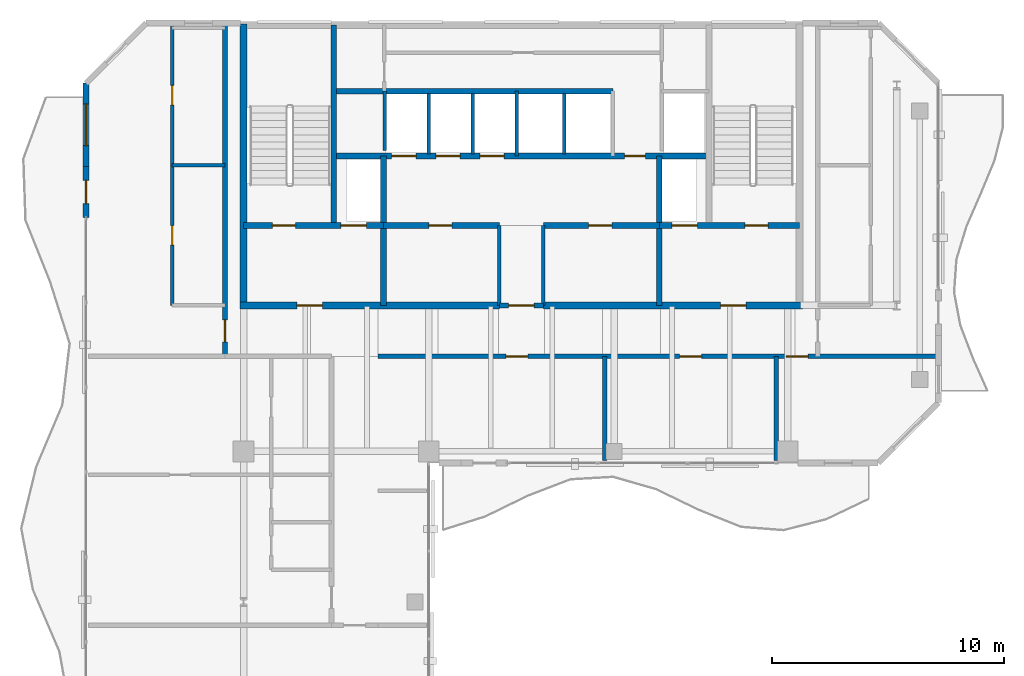
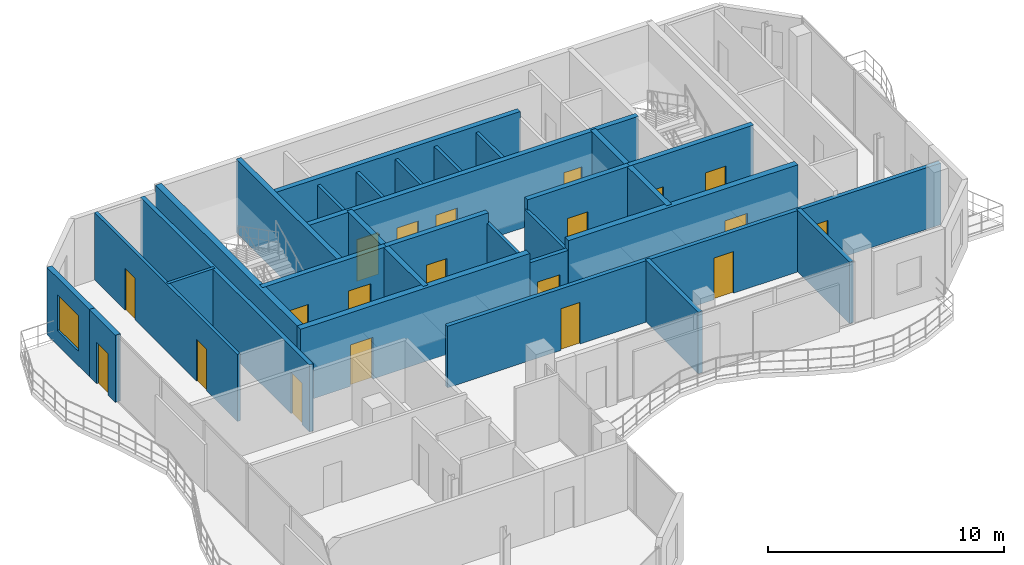
# One storey, part 12 of 16: 28 walls, 20 doors, 1 window, 21 openings.
"""IFC4 building model written with IfcOpenShell, lengths in metres."""

from ifc_helpers import new_model, si_unit, direction, frame, frame_2d, origin, place, context, subcontext, project, spatial, rectangle, extrude, material, layer, layer_set, type_object, element, fill, save


model = new_model("IFC4")

# Units and contexts
model_context = context("Model", 3, precision=1e-05, world=origin(), true_north=direction((0.0, 1.0)))
body_context = subcontext(model_context, "Body", "Model", "MODEL_VIEW")
ifc_project = project(units=[si_unit("LENGTHUNIT", "METRE"), si_unit("AREAUNIT", "SQUARE_METRE"), si_unit("VOLUMEUNIT", "CUBIC_METRE"), si_unit("PLANEANGLEUNIT", "RADIAN"), si_unit("MASSUNIT", "GRAM", prefix="KILO")], contexts=[model_context])

# Site, building, storey
site_placement = place(None, origin())
site = spatial("IfcSite", under=ifc_project, at=site_placement, CompositionType="ELEMENT")
building_placement = place(site_placement, origin())
building = spatial("IfcBuilding", under=site, at=building_placement, Name="Catumbela Crestline Tower", CompositionType="ELEMENT")
storey_placement = place(building_placement, frame((0.0, 0.0, 286.8)))
storey = spatial("IfcBuildingStorey", under=building, at=storey_placement, Name="L74", CompositionType="ELEMENT", Elevation=286.8)

# Walls
ifc_material_1 = material(Name="Concrete C50/60", Category="concrete")
ifc_layer_1 = layer(ifc_material_1, 0.25, Name="Concrete C50/60")
ifc_layer_set_1 = layer_set([ifc_layer_1], Name="Concrete C50/60")
wall_type_1 = type_object("IfcWallType", Name="CW-250D", PredefinedType="SHEAR", material=ifc_layer_set_1)
wall_1_placement = place(storey_placement, frame((19.9, 34.25, 0.0), z_axis=(0.0, 0.0, 1.0), x_axis=(0.0, 1.0, 0.0)))
element("IfcWall", 1, at=wall_1_placement, inside=storey, type_object=wall_type_1, Name="L74 Structural Core Shear Wall WWEB", PredefinedType="SHEAR", context=body_context, shape_type="SweptSolid", body=[
    extrude(rectangle(XDim=8.65, YDim=0.25, at=frame_2d((4.325, 0.0))), origin(), (0.0, 0.0, 1.0), 3.8),
])
for number, where, z_axis, x_axis, name in (
    (2, (22.05, 30.8, 0.0), (0.0, 0.0, 1.0), (0.0, 1.0, 0.0), "L74 Structural Core Shear Wall FFW"),
    (3, (33.95, 30.8, 0.0), (0.0, 0.0, 1.0), (0.0, 1.0, 0.0), "L74 Structural Core Shear Wall FFE"),
):
    element("IfcWall", number, at=place(storey_placement, frame(where, z_axis=z_axis, x_axis=x_axis)), inside=storey, type_object=wall_type_1, Name=name, PredefinedType="SHEAR", context=body_context, shape_type="SweptSolid", body=[
        extrude(rectangle(XDim=6.45, YDim=0.25, at=frame_2d((3.225, 0.0))), origin(), (0.0, 0.0, 1.0), 3.8),
    ])

# Wall, openings, doors
wall_2_placement = place(storey_placement, frame((16.0, 34.25, 0.0), z_axis=(0.0, 0.0, 1.0), x_axis=(1.0, 0.0, 0.0)))
wall_2 = element("IfcWall", 4, at=wall_2_placement, inside=storey, type_object=wall_type_1, Name="L74 Structural Core Shear Wall ST1S", PredefinedType="SHEAR", context=body_context, shape_type="SweptSolid", body=[
    extrude(rectangle(XDim=6.05, YDim=0.25, at=frame_2d((3.025, 0.0))), origin(), (0.0, 0.0, 1.0), 3.8),
])
opening_1_placement = place(wall_2_placement, frame((1.25, 0.0, 0.0)))
opening_1 = element("IfcOpeningElement", 5, at=opening_1_placement, cuts=wall_2, Name="Opening DF9-100", PredefinedType="OPENING", context=body_context, shape_type="SweptSolid", body=[
    extrude(rectangle(XDim=1.0, YDim=2.15, at=frame_2d((0.5, 1.075))), frame((0.0, 0.135, 0.0), z_axis=(0.0, -1.0, 0.0), x_axis=(1.0, 0.0, 0.0)), (0.0, 0.0, 1.0), 0.27),
])
opening_2_placement = place(wall_2_placement, frame((4.2, 0.0, 0.0)))
opening_2 = element("IfcOpeningElement", 6, at=opening_2_placement, cuts=wall_2, Name="Opening LD-110", PredefinedType="OPENING", context=body_context, shape_type="SweptSolid", body=[
    extrude(rectangle(XDim=1.1, YDim=2.15, at=frame_2d((0.55, 1.075))), frame((0.0, 0.135, 0.0), z_axis=(0.0, -1.0, 0.0), x_axis=(1.0, 0.0, 0.0)), (0.0, 0.0, 1.0), 0.27),
])
ifc_material_2 = material(Name="Stainless steel EN 1.4401", Category="steel")
door_type_1 = type_object("IfcDoorType", Name="DF9-100", OperationType="NOTDEFINED", PredefinedType="DOOR", material=ifc_material_2)
door_1_placement = place(opening_1_placement, origin())
door_1 = element("IfcDoor", 7, at=door_1_placement, inside=storey, type_object=door_type_1, Name="L74 Interior Door DR-L74-ST01", OperationType="SINGLE_SWING_LEFT", OverallHeight=2.15, OverallWidth=1.0, PredefinedType="DOOR", context=body_context, shape_type="SweptSolid", body=[
    extrude(rectangle(XDim=1.0, YDim=2.15, at=frame_2d((0.5, 1.075))), frame((0.0, 0.025, 0.0), z_axis=(0.0, -1.0, 0.0), x_axis=(1.0, 0.0, 0.0)), (0.0, 0.0, 1.0), 0.05),
])
fill(opening_1, door_1)
door_type_2 = type_object("IfcDoorType", Name="LD-110", OperationType="NOTDEFINED", PredefinedType="DOOR", material=ifc_material_2)
door_2_placement = place(opening_2_placement, origin())
door_2 = element("IfcDoor", 8, at=door_2_placement, inside=storey, type_object=door_type_2, Name="L74 Lift Landing Sliding Door FL-01", OperationType="DOUBLE_DOOR_SLIDING", OverallHeight=2.15, OverallWidth=1.1, PredefinedType="DOOR", context=body_context, shape_type="SweptSolid", body=[
    extrude(rectangle(XDim=1.1, YDim=2.15, at=frame_2d((0.55, 1.075))), frame((0.0, 0.025, 0.0), z_axis=(0.0, -1.0, 0.0), x_axis=(1.0, 0.0, 0.0)), (0.0, 0.0, 1.0), 0.05),
])
fill(opening_2, door_2)

wall_3_placement = place(storey_placement, frame((33.95, 34.25, 0.0), z_axis=(0.0, 0.0, 1.0), x_axis=(1.0, 0.0, 0.0)))
wall_3 = element("IfcWall", 9, at=wall_3_placement, inside=storey, type_object=wall_type_1, Name="L74 Structural Core Shear Wall ST2S", PredefinedType="SHEAR", context=body_context, shape_type="SweptSolid", body=[
    extrude(rectangle(XDim=6.05, YDim=0.25, at=frame_2d((3.025, 0.0))), origin(), (0.0, 0.0, 1.0), 3.8),
])
opening_3_placement = place(wall_3_placement, frame((3.7, 0.0, 0.0)))
opening_3 = element("IfcOpeningElement", 10, at=opening_3_placement, cuts=wall_3, Name="Opening DF9-100", PredefinedType="OPENING", context=body_context, shape_type="SweptSolid", body=[
    extrude(rectangle(XDim=1.0, YDim=2.15, at=frame_2d((0.5, 1.075))), frame((0.0, 0.135, 0.0), z_axis=(0.0, -1.0, 0.0), x_axis=(1.0, 0.0, 0.0)), (0.0, 0.0, 1.0), 0.27),
])
opening_4_placement = place(wall_3_placement, frame((0.55, 0.0, 0.0)))
opening_4 = element("IfcOpeningElement", 11, at=opening_4_placement, cuts=wall_3, Name="Opening LD-110", PredefinedType="OPENING", context=body_context, shape_type="SweptSolid", body=[
    extrude(rectangle(XDim=1.1, YDim=2.15, at=frame_2d((0.55, 1.075))), frame((0.0, 0.135, 0.0), z_axis=(0.0, -1.0, 0.0), x_axis=(1.0, 0.0, 0.0)), (0.0, 0.0, 1.0), 0.27),
])
door_3_placement = place(opening_3_placement, origin())
door_3 = element("IfcDoor", 12, at=door_3_placement, inside=storey, type_object=door_type_1, Name="L74 Interior Door DR-L74-ST02", OperationType="SINGLE_SWING_RIGHT", OverallHeight=2.15, OverallWidth=1.0, PredefinedType="DOOR", context=body_context, shape_type="SweptSolid", body=[
    extrude(rectangle(XDim=1.0, YDim=2.15, at=frame_2d((0.5, 1.075))), frame((0.0, 0.025, 0.0), z_axis=(0.0, -1.0, 0.0), x_axis=(1.0, 0.0, 0.0)), (0.0, 0.0, 1.0), 0.05),
])
fill(opening_3, door_3)
door_4_placement = place(opening_4_placement, origin())
door_4 = element("IfcDoor", 13, at=door_4_placement, inside=storey, type_object=door_type_2, Name="L74 Lift Landing Sliding Door FL-02", OperationType="DOUBLE_DOOR_SLIDING", OverallHeight=2.15, OverallWidth=1.1, PredefinedType="DOOR", context=body_context, shape_type="SweptSolid", body=[
    extrude(rectangle(XDim=1.1, YDim=2.15, at=frame_2d((0.55, 1.075))), frame((0.0, 0.025, 0.0), z_axis=(0.0, -1.0, 0.0), x_axis=(1.0, 0.0, 0.0)), (0.0, 0.0, 1.0), 0.05),
])
fill(opening_4, door_4)

# Wall, opening, door
wall_4_placement = place(storey_placement, frame((22.05, 34.25, 0.0), z_axis=(0.0, 0.0, 1.0), x_axis=(1.0, 0.0, 0.0)))
wall_4 = element("IfcWall", 14, at=wall_4_placement, inside=storey, type_object=wall_type_1, Name="L74 Structural Core Shear Wall LIFTS-W", PredefinedType="SHEAR", context=body_context, shape_type="SweptSolid", body=[
    extrude(rectangle(XDim=5.0, YDim=0.25, at=frame_2d((2.5, 0.0))), origin(), (0.0, 0.0, 1.0), 3.8),
])
opening_5_placement = place(wall_4_placement, frame((1.95, 0.0, 0.0)))
opening_5 = element("IfcOpeningElement", 15, at=opening_5_placement, cuts=wall_4, Name="Opening DF9-100", PredefinedType="OPENING", context=body_context, shape_type="SweptSolid", body=[
    extrude(rectangle(XDim=1.0, YDim=2.15, at=frame_2d((0.5, 1.075))), frame((0.0, 0.135, 0.0), z_axis=(0.0, -1.0, 0.0), x_axis=(1.0, 0.0, 0.0)), (0.0, 0.0, 1.0), 0.27),
])
door_5_placement = place(opening_5_placement, origin())
door_5 = element("IfcDoor", 16, at=door_5_placement, inside=storey, type_object=door_type_1, Name="L74 Interior Door DR-L74-RECL1", OperationType="SINGLE_SWING_LEFT", OverallHeight=2.15, OverallWidth=1.0, PredefinedType="DOOR", context=body_context, shape_type="SweptSolid", body=[
    extrude(rectangle(XDim=1.0, YDim=2.15, at=frame_2d((0.5, 1.075))), frame((0.0, 0.025, 0.0), z_axis=(0.0, -1.0, 0.0), x_axis=(1.0, 0.0, 0.0)), (0.0, 0.0, 1.0), 0.05),
])
fill(opening_5, door_5)

wall_5_placement = place(storey_placement, frame((28.95, 34.25, 0.0), z_axis=(0.0, 0.0, 1.0), x_axis=(1.0, 0.0, 0.0)))
wall_5 = element("IfcWall", 17, at=wall_5_placement, inside=storey, type_object=wall_type_1, Name="L74 Structural Core Shear Wall LIFTS-E", PredefinedType="SHEAR", context=body_context, shape_type="SweptSolid", body=[
    extrude(rectangle(XDim=5.0, YDim=0.25, at=frame_2d((2.5, 0.0))), origin(), (0.0, 0.0, 1.0), 3.8),
])
opening_6_placement = place(wall_5_placement, frame((1.95, 0.0, 0.0)))
opening_6 = element("IfcOpeningElement", 18, at=opening_6_placement, cuts=wall_5, Name="Opening DF9-100", PredefinedType="OPENING", context=body_context, shape_type="SweptSolid", body=[
    extrude(rectangle(XDim=1.0, YDim=2.15, at=frame_2d((0.5, 1.075))), frame((0.0, 0.135, 0.0), z_axis=(0.0, -1.0, 0.0), x_axis=(1.0, 0.0, 0.0)), (0.0, 0.0, 1.0), 0.27),
])
door_6_placement = place(opening_6_placement, origin())
door_6 = element("IfcDoor", 19, at=door_6_placement, inside=storey, type_object=door_type_1, Name="L74 Interior Door DR-L74-RECL2", OperationType="SINGLE_SWING_RIGHT", OverallHeight=2.15, OverallWidth=1.0, PredefinedType="DOOR", context=body_context, shape_type="SweptSolid", body=[
    extrude(rectangle(XDim=1.0, YDim=2.15, at=frame_2d((0.5, 1.075))), frame((0.0, 0.025, 0.0), z_axis=(0.0, -1.0, 0.0), x_axis=(1.0, 0.0, 0.0)), (0.0, 0.0, 1.0), 0.05),
])
fill(opening_6, door_6)

# Wall, openings, doors
wall_6_placement = place(storey_placement, frame((19.9, 37.25, 0.0), z_axis=(0.0, 0.0, 1.0), x_axis=(1.0, 0.0, 0.0)))
wall_6 = element("IfcWall", 20, at=wall_6_placement, inside=storey, type_object=wall_type_1, Name="L74 Structural Core Shear Wall LIFTN", PredefinedType="SHEAR", context=body_context, shape_type="SweptSolid", body=[
    extrude(rectangle(XDim=16.2, YDim=0.25, at=frame_2d((8.1, 0.0))), origin(), (0.0, 0.0, 1.0), 3.8),
])
opening_7_placement = place(wall_6_placement, frame((12.55, 0.0, 0.0)))
opening_7 = element("IfcOpeningElement", 21, at=opening_7_placement, cuts=wall_6, Name="Opening DF9-090", PredefinedType="OPENING", context=body_context, shape_type="SweptSolid", body=[
    extrude(rectangle(XDim=0.9, YDim=2.15, at=frame_2d((0.45, 1.075))), frame((0.0, 0.135, 0.0), z_axis=(0.0, -1.0, 0.0), x_axis=(1.0, 0.0, 0.0)), (0.0, 0.0, 1.0), 0.27),
])
opening_8_placement = place(wall_6_placement, frame((2.5, 0.0, 0.0)))
opening_8 = element("IfcOpeningElement", 22, at=opening_8_placement, cuts=wall_6, Name="Opening LD-105", PredefinedType="OPENING", context=body_context, shape_type="SweptSolid", body=[
    extrude(rectangle(XDim=1.05, YDim=2.15, at=frame_2d((0.525, 1.075))), frame((0.0, 0.135, 0.0), z_axis=(0.0, -1.0, 0.0), x_axis=(1.0, 0.0, 0.0)), (0.0, 0.0, 1.0), 0.27),
])
opening_9_placement = place(wall_6_placement, frame((4.4, 0.0, 0.0)))
opening_9 = element("IfcOpeningElement", 23, at=opening_9_placement, cuts=wall_6, Name="Opening LD-105", PredefinedType="OPENING", context=body_context, shape_type="SweptSolid", body=[
    extrude(rectangle(XDim=1.05, YDim=2.15, at=frame_2d((0.525, 1.075))), frame((0.0, 0.135, 0.0), z_axis=(0.0, -1.0, 0.0), x_axis=(1.0, 0.0, 0.0)), (0.0, 0.0, 1.0), 0.27),
])
opening_10_placement = place(wall_6_placement, frame((6.3, 0.0, 0.0)))
opening_10 = element("IfcOpeningElement", 24, at=opening_10_placement, cuts=wall_6, Name="Opening LD-105", PredefinedType="OPENING", context=body_context, shape_type="SweptSolid", body=[
    extrude(rectangle(XDim=1.05, YDim=2.15, at=frame_2d((0.525, 1.075))), frame((0.0, 0.135, 0.0), z_axis=(0.0, -1.0, 0.0), x_axis=(1.0, 0.0, 0.0)), (0.0, 0.0, 1.0), 0.27),
])
door_type_3 = type_object("IfcDoorType", Name="DF9-090", OperationType="NOTDEFINED", PredefinedType="DOOR", material=ifc_material_2)
door_7_placement = place(opening_7_placement, origin())
door_7 = element("IfcDoor", 25, at=door_7_placement, inside=storey, type_object=door_type_3, Name="L74 Interior Door DR-L74-CPAS1", OperationType="SINGLE_SWING_LEFT", OverallHeight=2.15, OverallWidth=0.9, PredefinedType="DOOR", context=body_context, shape_type="SweptSolid", body=[
    extrude(rectangle(XDim=0.9, YDim=2.15, at=frame_2d((0.45, 1.075))), frame((0.0, 0.025, 0.0), z_axis=(0.0, -1.0, 0.0), x_axis=(1.0, 0.0, 0.0)), (0.0, 0.0, 1.0), 0.05),
])
fill(opening_7, door_7)
door_type_4 = type_object("IfcDoorType", Name="LD-105", OperationType="NOTDEFINED", PredefinedType="DOOR", material=ifc_material_2)
door_8_placement = place(opening_8_placement, origin())
door_8 = element("IfcDoor", 26, at=door_8_placement, inside=storey, type_object=door_type_4, Name="L74 Lift Landing Sliding Door PL-H1", OperationType="DOUBLE_DOOR_SLIDING", OverallHeight=2.15, OverallWidth=1.05, PredefinedType="DOOR", context=body_context, shape_type="SweptSolid", body=[
    extrude(rectangle(XDim=1.05, YDim=2.15, at=frame_2d((0.525, 1.075))), frame((0.0, 0.025, 0.0), z_axis=(0.0, -1.0, 0.0), x_axis=(1.0, 0.0, 0.0)), (0.0, 0.0, 1.0), 0.05),
])
fill(opening_8, door_8)
door_9_placement = place(opening_9_placement, origin())
door_9 = element("IfcDoor", 27, at=door_9_placement, inside=storey, type_object=door_type_4, Name="L74 Lift Landing Sliding Door PL-H2", OperationType="DOUBLE_DOOR_SLIDING", OverallHeight=2.15, OverallWidth=1.05, PredefinedType="DOOR", context=body_context, shape_type="SweptSolid", body=[
    extrude(rectangle(XDim=1.05, YDim=2.15, at=frame_2d((0.525, 1.075))), frame((0.0, 0.025, 0.0), z_axis=(0.0, -1.0, 0.0), x_axis=(1.0, 0.0, 0.0)), (0.0, 0.0, 1.0), 0.05),
])
fill(opening_9, door_9)
door_10_placement = place(opening_10_placement, origin())
door_10 = element("IfcDoor", 28, at=door_10_placement, inside=storey, type_object=door_type_4, Name="L74 Lift Landing Sliding Door PL-H3", OperationType="DOUBLE_DOOR_SLIDING", OverallHeight=2.15, OverallWidth=1.05, PredefinedType="DOOR", context=body_context, shape_type="SweptSolid", body=[
    extrude(rectangle(XDim=1.05, YDim=2.15, at=frame_2d((0.525, 1.075))), frame((0.0, 0.025, 0.0), z_axis=(0.0, -1.0, 0.0), x_axis=(1.0, 0.0, 0.0)), (0.0, 0.0, 1.0), 0.05),
])
fill(opening_10, door_10)

# Walls
wall_7_placement = place(storey_placement, frame((19.9, 40.05, 0.0), z_axis=(0.0, 0.0, 1.0), x_axis=(1.0, 0.0, 0.0)))
element("IfcWall", 29, at=wall_7_placement, inside=storey, type_object=wall_type_1, Name="L74 Structural Core Shear Wall COREN", PredefinedType="SHEAR", context=body_context, shape_type="SweptSolid", body=[
    extrude(rectangle(XDim=12.05, YDim=0.25, at=frame_2d((6.025, 0.0))), origin(), (0.0, 0.0, 1.0), 3.8),
])
ifc_material_3 = material(Name="Concrete C45/55", Category="concrete")
ifc_layer_2 = layer(ifc_material_3, 0.3, Name="Concrete C45/55")
ifc_layer_set_2 = layer_set([ifc_layer_2], Name="Concrete C45/55")
wall_type_2 = type_object("IfcWallType", Name="CW-300C", PredefinedType="SHEAR", material=ifc_layer_set_2)
wall_8_placement = place(storey_placement, frame((16.0, 30.65, 0.0), z_axis=(0.0, 0.0, 1.0), x_axis=(0.0, 1.0, 0.0)))
element("IfcWall", 30, at=wall_8_placement, inside=storey, type_object=wall_type_2, Name="L74 Structural Core Shear Wall W", PredefinedType="SHEAR", context=body_context, shape_type="SweptSolid", body=[
    extrude(rectangle(XDim=12.3, YDim=0.3, at=frame_2d((6.15, 0.0))), origin(), (0.0, 0.0, 1.0), 3.8),
])

# Wall, opening, door
wall_9_placement = place(storey_placement, frame((15.85, 30.8, 0.0), z_axis=(0.0, 0.0, 1.0), x_axis=(1.0, 0.0, 0.0)))
wall_9 = element("IfcWall", 31, at=wall_9_placement, inside=storey, type_object=wall_type_2, Name="L74 Structural Core Shear Wall SW", PredefinedType="SHEAR", context=body_context, shape_type="SweptSolid", body=[
    extrude(rectangle(XDim=11.2, YDim=0.3, at=frame_2d((5.6, 0.0))), origin(), (0.0, 0.0, 1.0), 3.8),
])
opening_11_placement = place(wall_9_placement, frame((2.45, 0.0, 0.0)))
opening_11 = element("IfcOpeningElement", 32, at=opening_11_placement, cuts=wall_9, Name="Opening DF9-110", PredefinedType="OPENING", context=body_context, shape_type="SweptSolid", body=[
    extrude(rectangle(XDim=1.1, YDim=2.15, at=frame_2d((0.55, 1.075))), frame((0.0, 0.16, 0.0), z_axis=(0.0, -1.0, 0.0), x_axis=(1.0, 0.0, 0.0)), (0.0, 0.0, 1.0), 0.32),
])
door_type_5 = type_object("IfcDoorType", Name="DF9-110", OperationType="NOTDEFINED", PredefinedType="DOOR", material=ifc_material_2)
door_11_placement = place(opening_11_placement, origin())
door_11 = element("IfcDoor", 33, at=door_11_placement, inside=storey, type_object=door_type_5, Name="L74 Interior Door DR-L74-FFW-S", OperationType="SINGLE_SWING_LEFT", OverallHeight=2.15, OverallWidth=1.1, PredefinedType="DOOR", context=body_context, shape_type="SweptSolid", body=[
    extrude(rectangle(XDim=1.1, YDim=2.15, at=frame_2d((0.55, 1.075))), frame((0.0, 0.025, 0.0), z_axis=(0.0, -1.0, 0.0), x_axis=(1.0, 0.0, 0.0)), (0.0, 0.0, 1.0), 0.05),
])
fill(opening_11, door_11)

wall_10_placement = place(storey_placement, frame((28.95, 30.8, 0.0), z_axis=(0.0, 0.0, 1.0), x_axis=(1.0, 0.0, 0.0)))
wall_10 = element("IfcWall", 34, at=wall_10_placement, inside=storey, type_object=wall_type_2, Name="L74 Structural Core Shear Wall SE", PredefinedType="SHEAR", context=body_context, shape_type="SweptSolid", body=[
    extrude(rectangle(XDim=11.2, YDim=0.3, at=frame_2d((5.6, 0.0))), origin(), (0.0, 0.0, 1.0), 3.8),
])
opening_12_placement = place(wall_10_placement, frame((7.65, 0.0, 0.0)))
opening_12 = element("IfcOpeningElement", 35, at=opening_12_placement, cuts=wall_10, Name="Opening DF9-110", PredefinedType="OPENING", context=body_context, shape_type="SweptSolid", body=[
    extrude(rectangle(XDim=1.1, YDim=2.15, at=frame_2d((0.55, 1.075))), frame((0.0, 0.16, 0.0), z_axis=(0.0, -1.0, 0.0), x_axis=(1.0, 0.0, 0.0)), (0.0, 0.0, 1.0), 0.32),
])
door_12_placement = place(opening_12_placement, origin())
door_12 = element("IfcDoor", 36, at=door_12_placement, inside=storey, type_object=door_type_5, Name="L74 Interior Door DR-L74-FFE-S", OperationType="SINGLE_SWING_RIGHT", OverallHeight=2.15, OverallWidth=1.1, PredefinedType="DOOR", context=body_context, shape_type="SweptSolid", body=[
    extrude(rectangle(XDim=1.1, YDim=2.15, at=frame_2d((0.55, 1.075))), frame((0.0, 0.025, 0.0), z_axis=(0.0, -1.0, 0.0), x_axis=(1.0, 0.0, 0.0)), (0.0, 0.0, 1.0), 0.05),
])
fill(opening_12, door_12)

ifc_material_4 = material(Name="Acoustic gypsum and mineral-wool partition")
ifc_layer_3 = layer(ifc_material_4, 0.2, Name="Acoustic gypsum and mineral-wool partition")
ifc_layer_set_3 = layer_set([ifc_layer_3], Name="Acoustic gypsum and mineral-wool partition")
wall_type_3 = type_object("IfcWallType", Name="WC-200", PredefinedType="PARTITIONING", material=ifc_layer_set_3)
wall_11_placement = place(storey_placement, frame((27.05, 30.8, 0.0), z_axis=(0.0, 0.0, 1.0), x_axis=(1.0, 0.0, 0.0)))
wall_11 = element("IfcWall", 37, at=wall_11_placement, inside=storey, type_object=wall_type_3, Name="L74 Interior Partition PW-L74-CLOBS", PredefinedType="PARTITIONING", context=body_context, shape_type="SweptSolid", body=[
    extrude(rectangle(XDim=1.9, YDim=0.2, at=frame_2d((0.95, 0.0))), origin(), (0.0, 0.0, 1.0), 3.27),
])
opening_13_placement = place(wall_11_placement, frame((0.4, 0.0, 0.0)))
opening_13 = element("IfcOpeningElement", 38, at=opening_13_placement, cuts=wall_11, Name="Opening DF9-110", PredefinedType="OPENING", context=body_context, shape_type="SweptSolid", body=[
    extrude(rectangle(XDim=1.1, YDim=2.15, at=frame_2d((0.55, 1.075))), frame((0.0, 0.11, 0.0), z_axis=(0.0, -1.0, 0.0), x_axis=(1.0, 0.0, 0.0)), (0.0, 0.0, 1.0), 0.22),
])
door_13_placement = place(opening_13_placement, origin())
door_13 = element("IfcDoor", 39, at=door_13_placement, inside=storey, type_object=door_type_5, Name="L74 Interior Door DR-L74-CLOBS", OperationType="SINGLE_SWING_LEFT", OverallHeight=2.15, OverallWidth=1.1, PredefinedType="DOOR", context=body_context, shape_type="SweptSolid", body=[
    extrude(rectangle(XDim=1.1, YDim=2.15, at=frame_2d((0.55, 1.075))), frame((0.0, 0.025, 0.0), z_axis=(0.0, -1.0, 0.0), x_axis=(1.0, 0.0, 0.0)), (0.0, 0.0, 1.0), 0.05),
])
fill(opening_13, door_13)

# Wall, openings, doors
wall_12_placement = place(storey_placement, frame((21.8, 28.6, 0.0), z_axis=(0.0, 0.0, 1.0), x_axis=(1.0, 0.0, 0.0)))
wall_12 = element("IfcWall", 40, at=wall_12_placement, inside=storey, type_object=wall_type_3, Name="L74 Interior Partition PW-L74-RCWR", PredefinedType="PARTITIONING", context=body_context, shape_type="SweptSolid", body=[
    extrude(rectangle(XDim=24.1, YDim=0.2, at=frame_2d((12.05, 0.0))), origin(), (0.0, 0.0, 1.0), 3.18),
])
opening_14_placement = place(wall_12_placement, frame((5.525, 0.0, 0.0)))
opening_14 = element("IfcOpeningElement", 41, at=opening_14_placement, cuts=wall_12, Name="Opening DF6-095", PredefinedType="OPENING", context=body_context, shape_type="SweptSolid", body=[
    extrude(rectangle(XDim=0.95, YDim=2.15, at=frame_2d((0.475, 1.075))), frame((0.0, 0.11, 0.0), z_axis=(0.0, -1.0, 0.0), x_axis=(1.0, 0.0, 0.0)), (0.0, 0.0, 1.0), 0.22),
])
opening_15_placement = place(wall_12_placement, frame((13.025, 0.0, 0.0)))
opening_15 = element("IfcOpeningElement", 42, at=opening_15_placement, cuts=wall_12, Name="Opening DF6-095", PredefinedType="OPENING", context=body_context, shape_type="SweptSolid", body=[
    extrude(rectangle(XDim=0.95, YDim=2.15, at=frame_2d((0.475, 1.075))), frame((0.0, 0.11, 0.0), z_axis=(0.0, -1.0, 0.0), x_axis=(1.0, 0.0, 0.0)), (0.0, 0.0, 1.0), 0.22),
])
opening_16_placement = place(wall_12_placement, frame((17.625, 0.0, 0.0)))
opening_16 = element("IfcOpeningElement", 43, at=opening_16_placement, cuts=wall_12, Name="Opening DF6-095", PredefinedType="OPENING", context=body_context, shape_type="SweptSolid", body=[
    extrude(rectangle(XDim=0.95, YDim=2.15, at=frame_2d((0.475, 1.075))), frame((0.0, 0.11, 0.0), z_axis=(0.0, -1.0, 0.0), x_axis=(1.0, 0.0, 0.0)), (0.0, 0.0, 1.0), 0.22),
])
ifc_material_5 = material(Name="Aluminium alloy AW-6060-T66", Category="aluminium")
door_type_6 = type_object("IfcDoorType", Name="DF6-095", OperationType="NOTDEFINED", PredefinedType="DOOR", material=ifc_material_5)
door_14_placement = place(opening_14_placement, origin())
door_14 = element("IfcDoor", 44, at=door_14_placement, inside=storey, type_object=door_type_6, Name="L74 Interior Door DR-L74-Z4G6S1-ENT", OperationType="SINGLE_SWING_RIGHT", OverallHeight=2.15, OverallWidth=0.95, PredefinedType="DOOR", context=body_context, shape_type="SweptSolid", body=[
    extrude(rectangle(XDim=0.95, YDim=2.15, at=frame_2d((0.475, 1.075))), frame((0.0, 0.025, 0.0), z_axis=(0.0, -1.0, 0.0), x_axis=(1.0, 0.0, 0.0)), (0.0, 0.0, 1.0), 0.05),
])
fill(opening_14, door_14)
door_15_placement = place(opening_15_placement, origin())
door_15 = element("IfcDoor", 45, at=door_15_placement, inside=storey, type_object=door_type_6, Name="L74 Interior Door DR-L74-Z4G6S2-ENT", OperationType="SINGLE_SWING_LEFT", OverallHeight=2.15, OverallWidth=0.95, PredefinedType="DOOR", context=body_context, shape_type="SweptSolid", body=[
    extrude(rectangle(XDim=0.95, YDim=2.15, at=frame_2d((0.475, 1.075))), frame((0.0, 0.025, 0.0), z_axis=(0.0, -1.0, 0.0), x_axis=(1.0, 0.0, 0.0)), (0.0, 0.0, 1.0), 0.05),
])
fill(opening_15, door_15)
door_16_placement = place(opening_16_placement, origin())
door_16 = element("IfcDoor", 46, at=door_16_placement, inside=storey, type_object=door_type_6, Name="L74 Interior Door DR-L74-Z4G6S3-ENT", OperationType="SINGLE_SWING_RIGHT", OverallHeight=2.15, OverallWidth=0.95, PredefinedType="DOOR", context=body_context, shape_type="SweptSolid", body=[
    extrude(rectangle(XDim=0.95, YDim=2.15, at=frame_2d((0.475, 1.075))), frame((0.0, 0.025, 0.0), z_axis=(0.0, -1.0, 0.0), x_axis=(1.0, 0.0, 0.0)), (0.0, 0.0, 1.0), 0.05),
])
fill(opening_16, door_16)

# Wall, opening, door
wall_13_placement = place(storey_placement, frame((15.2, 28.6, 0.0), z_axis=(0.0, 0.0, 1.0), x_axis=(0.0, 1.0, 0.0)))
wall_13 = element("IfcWall", 47, at=wall_13_placement, inside=storey, type_object=wall_type_3, Name="L74 Interior Partition PW-L74-NW1-ENT", PredefinedType="PARTITIONING", context=body_context, shape_type="SweptSolid", body=[
    extrude(rectangle(XDim=14.3, YDim=0.2, at=frame_2d((7.15, 0.0))), origin(), (0.0, 0.0, 1.0), 3.47),
])
opening_17_placement = place(wall_13_placement, frame((0.625, 0.0, 0.0)))
opening_17 = element("IfcOpeningElement", 48, at=opening_17_placement, cuts=wall_13, Name="Opening DF6-095", PredefinedType="OPENING", context=body_context, shape_type="SweptSolid", body=[
    extrude(rectangle(XDim=0.95, YDim=2.15, at=frame_2d((0.475, 1.075))), frame((0.0, 0.11, 0.0), z_axis=(0.0, -1.0, 0.0), x_axis=(1.0, 0.0, 0.0)), (0.0, 0.0, 1.0), 0.22),
])
door_17_placement = place(opening_17_placement, origin())
door_17 = element("IfcDoor", 49, at=door_17_placement, inside=storey, type_object=door_type_6, Name="L74 Interior Door DR-L74-NW1-ENT", OperationType="SINGLE_SWING_LEFT", OverallHeight=2.15, OverallWidth=0.95, PredefinedType="DOOR", context=body_context, shape_type="SweptSolid", body=[
    extrude(rectangle(XDim=0.95, YDim=2.15, at=frame_2d((0.475, 1.075))), frame((0.0, 0.025, 0.0), z_axis=(0.0, -1.0, 0.0), x_axis=(1.0, 0.0, 0.0)), (0.0, 0.0, 1.0), 0.05),
])
fill(opening_17, door_17)

ifc_material_6 = material(Name="Angolan grey-ochre granite", Category="masonry")
ifc_layer_4 = layer(ifc_material_6, 0.25, Name="Angolan grey-ochre granite")
ifc_layer_set_4 = layer_set([ifc_layer_4], Name="Angolan grey-ochre granite")
wall_type_4 = type_object("IfcWallType", Name="WE-250", PredefinedType="STANDARD", material=ifc_layer_set_4)
wall_14_placement = place(storey_placement, frame((9.2, 36.8, 0.0), z_axis=(0.0, 0.0, 1.0), x_axis=(0.0, -1.0, 0.0)))
wall_14 = element("IfcWall", 50, at=wall_14_placement, inside=storey, type_object=wall_type_4, Name="L74 Exterior Threshold Portal Wall DR-L74-WBAL-4", PredefinedType="STANDARD", context=body_context, shape_type="SweptSolid", body=[
    extrude(rectangle(XDim=2.2, YDim=0.25, at=frame_2d((1.1, 0.0))), origin(), (0.0, 0.0, 1.0), 3.47),
])
opening_18_placement = place(wall_14_placement, frame((0.6, 0.0, 0.0)))
opening_18 = element("IfcOpeningElement", 51, at=opening_18_placement, cuts=wall_14, Name="Opening DB-L74-4", PredefinedType="OPENING", context=body_context, shape_type="SweptSolid", body=[
    extrude(rectangle(XDim=1.0, YDim=2.15, at=frame_2d((0.5, 1.075))), frame((0.0, 0.135, 0.0), z_axis=(0.0, -1.0, 0.0), x_axis=(1.0, 0.0, 0.0)), (0.0, 0.0, 1.0), 0.27),
])
door_type_7 = type_object("IfcDoorType", Name="DB-1000", OperationType="NOTDEFINED", PredefinedType="DOOR", material=ifc_material_5)
door_18_placement = place(opening_18_placement, origin())
door_18 = element("IfcDoor", 52, at=door_18_placement, inside=storey, type_object=door_type_7, Name="L74 Wave Balcony Terrace Door 4", OperationType="SINGLE_SWING_LEFT", OverallHeight=2.15, OverallWidth=1.0, PredefinedType="DOOR", context=body_context, shape_type="SweptSolid", body=[
    extrude(rectangle(XDim=1.0, YDim=2.15, at=frame_2d((0.5, 1.075))), frame((0.0, 0.025, 0.0), z_axis=(0.0, -1.0, 0.0), x_axis=(1.0, 0.0, 0.0)), (0.0, 0.0, 1.0), 0.05),
])
fill(opening_18, door_18)

# Wall, opening, window
wall_15_placement = place(storey_placement, frame((9.2, 40.4, 0.0), z_axis=(0.0, 0.0, 1.0), x_axis=(0.0, -1.0, 0.0)))
wall_15 = element("IfcWall", 53, at=wall_15_placement, inside=storey, type_object=wall_type_4, Name="L74 Granite Punched Window Wall 9-1", PredefinedType="STANDARD", context=body_context, shape_type="SweptSolid", body=[
    extrude(rectangle(XDim=3.6, YDim=0.25, at=frame_2d((1.8, 0.0))), origin(), (0.0, 0.0, 1.0), 3.47),
])
opening_19_placement = place(wall_15_placement, frame((0.9, 0.0, 0.75)))
opening_19 = element("IfcOpeningElement", 54, at=opening_19_placement, cuts=wall_15, Name="Opening WN-01", PredefinedType="OPENING", context=body_context, shape_type="SweptSolid", body=[
    extrude(rectangle(XDim=1.8, YDim=1.85, at=frame_2d((0.9, 0.925))), frame((0.0, 0.135, 0.0), z_axis=(0.0, -1.0, 0.0), x_axis=(1.0, 0.0, 0.0)), (0.0, 0.0, 1.0), 0.27),
])
ifc_material_7 = material(Name="Low-E laminated solar-control double glazing", Category="glass")
window_type = type_object("IfcWindowType", Name="WF-1800", PartitioningType="SINGLE_PANEL", PredefinedType="WINDOW", material=ifc_material_7)
window_placement = place(opening_19_placement, origin())
window = element("IfcWindow", 55, at=window_placement, inside=storey, type_object=window_type, Name="L74 Facade Vision Window 609", OverallHeight=1.85, OverallWidth=1.8, PartitioningType="SINGLE_PANEL", PredefinedType="WINDOW", context=body_context, shape_type="SweptSolid", body=[
    extrude(rectangle(XDim=1.8, YDim=1.85, at=frame_2d((0.9, 0.925))), frame((0.0, 0.03, 0.0), z_axis=(0.0, -1.0, 0.0), x_axis=(1.0, 0.0, 0.0)), (0.0, 0.0, 1.0), 0.06),
])
fill(opening_19, window)

# Wall
ifc_layer_5 = layer(ifc_material_4, 0.15, Name="Acoustic gypsum and mineral-wool partition")
ifc_layer_set_5 = layer_set([ifc_layer_5], Name="Acoustic gypsum and mineral-wool partition")
wall_type_5 = type_object("IfcWallType", Name="WP-150", PredefinedType="PARTITIONING", material=ifc_layer_set_5)
wall_16_placement = place(storey_placement, frame((12.92, 36.85, 0.0), z_axis=(0.0, 0.0, 1.0), x_axis=(1.0, 0.0, 0.0)))
element("IfcWall", 56, at=wall_16_placement, inside=storey, type_object=wall_type_5, Name="L74 Interior Partition PW-L74-NW1-KBM", PredefinedType="PARTITIONING", context=body_context, shape_type="SweptSolid", body=[
    extrude(rectangle(XDim=2.28, YDim=0.15, at=frame_2d((1.14, 0.0))), origin(), (0.0, 0.0, 1.0), 3.47),
])

# Wall, openings, doors
wall_17_placement = place(storey_placement, frame((12.92, 30.8, 0.0), z_axis=(0.0, 0.0, 1.0), x_axis=(0.0, 1.0, 0.0)))
wall_17 = element("IfcWall", 57, at=wall_17_placement, inside=storey, type_object=wall_type_5, Name="L74 Interior Partition PW-L74-NW1-SK1", PredefinedType="PARTITIONING", context=body_context, shape_type="SweptSolid", body=[
    extrude(rectangle(XDim=12.1, YDim=0.15, at=frame_2d((6.05, 0.0))), origin(), (0.0, 0.0, 1.0), 3.47),
])
opening_20_placement = place(wall_17_placement, frame((2.6, 0.0, 0.0)))
opening_20 = element("IfcOpeningElement", 58, at=opening_20_placement, cuts=wall_17, Name="Opening DI-085", PredefinedType="OPENING", context=body_context, shape_type="SweptSolid", body=[
    extrude(rectangle(XDim=0.85, YDim=2.15, at=frame_2d((0.425, 1.075))), frame((0.0, 0.085, 0.0), z_axis=(0.0, -1.0, 0.0), x_axis=(1.0, 0.0, 0.0)), (0.0, 0.0, 1.0), 0.17),
])
opening_21_placement = place(wall_17_placement, frame((8.65, 0.0, 0.0)))
opening_21 = element("IfcOpeningElement", 59, at=opening_21_placement, cuts=wall_17, Name="Opening DI-085", PredefinedType="OPENING", context=body_context, shape_type="SweptSolid", body=[
    extrude(rectangle(XDim=0.85, YDim=2.15, at=frame_2d((0.425, 1.075))), frame((0.0, 0.085, 0.0), z_axis=(0.0, -1.0, 0.0), x_axis=(1.0, 0.0, 0.0)), (0.0, 0.0, 1.0), 0.17),
])
door_type_8 = type_object("IfcDoorType", Name="DI-085", OperationType="NOTDEFINED", PredefinedType="DOOR", material=ifc_material_5)
door_19_placement = place(opening_20_placement, origin())
door_19 = element("IfcDoor", 60, at=door_19_placement, inside=storey, type_object=door_type_8, Name="L74 Interior Door DR-L74-NW1-KIT", OperationType="SINGLE_SWING_LEFT", OverallHeight=2.15, OverallWidth=0.85, PredefinedType="DOOR", context=body_context, shape_type="SweptSolid", body=[
    extrude(rectangle(XDim=0.85, YDim=2.15, at=frame_2d((0.425, 1.075))), frame((0.0, 0.025, 0.0), z_axis=(0.0, -1.0, 0.0), x_axis=(1.0, 0.0, 0.0)), (0.0, 0.0, 1.0), 0.05),
])
fill(opening_20, door_19)
door_20_placement = place(opening_21_placement, origin())
door_20 = element("IfcDoor", 61, at=door_20_placement, inside=storey, type_object=door_type_8, Name="L74 Interior Door DR-L74-NW1-BTH", OperationType="SINGLE_SWING_RIGHT", OverallHeight=2.15, OverallWidth=0.85, PredefinedType="DOOR", context=body_context, shape_type="SweptSolid", body=[
    extrude(rectangle(XDim=0.85, YDim=2.15, at=frame_2d((0.425, 1.075))), frame((0.0, 0.025, 0.0), z_axis=(0.0, -1.0, 0.0), x_axis=(1.0, 0.0, 0.0)), (0.0, 0.0, 1.0), 0.05),
])
fill(opening_21, door_20)

# Walls
ifc_layer_6 = layer(ifc_material_4, 0.2, Name="Acoustic gypsum and mineral-wool partition")
ifc_layer_set_6 = layer_set([ifc_layer_6], Name="Acoustic gypsum and mineral-wool partition")
wall_type_6 = type_object("IfcWallType", Name="WY-200", PredefinedType="PARTITIONING", material=ifc_layer_set_6)
for number, where, z_axis, x_axis, name in (
    (62, (31.6, 24.1, 0.0), (0.0, 0.0, 1.0), (0.0, 1.0, 0.0), "L74 Interior Partition PW-L74-RSPP-2"),
    (63, (39.0, 24.1, 0.0), (0.0, 0.0, 1.0), (0.0, 1.0, 0.0), "L74 Interior Partition PW-L74-RSPP-3"),
):
    element("IfcWall", number, at=place(storey_placement, frame(where, z_axis=z_axis, x_axis=x_axis)), inside=storey, type_object=wall_type_6, Name=name, PredefinedType="PARTITIONING", context=body_context, shape_type="SweptSolid", body=[
        extrude(rectangle(XDim=4.5, YDim=0.2, at=frame_2d((2.25, 0.0))), origin(), (0.0, 0.0, 1.0), 3.18),
    ])
ifc_layer_7 = layer(ifc_material_4, 0.15, Name="Acoustic gypsum and mineral-wool partition")
ifc_layer_set_7 = layer_set([ifc_layer_7], Name="Acoustic gypsum and mineral-wool partition")
wall_type_7 = type_object("IfcWallType", Name="WS-150", PredefinedType="PLUMBINGWALL", material=ifc_layer_set_7)
for number, where, z_axis, x_axis, name in (
    (64, (27.05, 30.8, 0.0), (0.0, 0.0, 1.0), (0.0, 1.0, 0.0), "L74 Interior Partition PW-L74-THRW"),
    (65, (28.95, 30.8, 0.0), (0.0, 0.0, 1.0), (0.0, 1.0, 0.0), "L74 Interior Partition PW-L74-THRE"),
):
    element("IfcWall", number, at=place(storey_placement, frame(where, z_axis=z_axis, x_axis=x_axis)), inside=storey, type_object=wall_type_7, Name=name, PredefinedType="PLUMBINGWALL", context=body_context, shape_type="SweptSolid", body=[
        extrude(rectangle(XDim=3.45, YDim=0.15, at=frame_2d((1.725, 0.0))), origin(), (0.0, 0.0, 1.0), 3.27),
    ])
wall_18_placement = place(storey_placement, frame((22.1, 37.4897, 0.0), z_axis=(0.0, 0.0, 1.0), x_axis=(0.0, 1.0, 0.0)))
element("IfcWall", 66, at=wall_18_placement, inside=storey, type_object=wall_type_7, Name="L74 Interior Partition PW-L74-SHH0", PredefinedType="PLUMBINGWALL", context=body_context, shape_type="SweptSolid", body=[
    extrude(rectangle(XDim=2.5603, YDim=0.15, at=frame_2d((1.2801, 0.0))), origin(), (0.0, 0.0, 1.0), 3.47),
])
wall_19_placement = place(storey_placement, frame((27.8, 37.25, 0.0), z_axis=(0.0, 0.0, 1.0), x_axis=(0.0, 1.0, 0.0)))
element("IfcWall", 67, at=wall_19_placement, inside=storey, type_object=wall_type_7, Name="L74 Interior Partition PW-L74-SHH3", PredefinedType="PLUMBINGWALL", context=body_context, shape_type="SweptSolid", body=[
    extrude(rectangle(XDim=2.8, YDim=0.15, at=frame_2d((1.4, 0.0))), origin(), (0.0, 0.0, 1.0), 3.47),
])
for number, where, z_axis, x_axis, name in (
    (68, (24.0, 37.35, 0.0), (0.0, 0.0, 1.0), (0.0, 1.0, 0.0), "L74 Interior Partition PW-L74-SHH1"),
    (69, (25.9, 37.35, 0.0), (0.0, 0.0, 1.0), (0.0, 1.0, 0.0), "L74 Interior Partition PW-L74-SHH2"),
    (70, (29.85, 37.35, 0.0), (0.0, 0.0, 1.0), (0.0, 1.0, 0.0), "L74 Interior Partition PW-L74-SHEX1"),
):
    element("IfcWall", number, at=place(storey_placement, frame(where, z_axis=z_axis, x_axis=x_axis)), inside=storey, type_object=wall_type_7, Name=name, PredefinedType="PLUMBINGWALL", context=body_context, shape_type="SweptSolid", body=[
        extrude(rectangle(XDim=2.6, YDim=0.15, at=frame_2d((1.3, 0.0))), origin(), (0.0, 0.0, 1.0), 3.47),
    ])

save(model, "model.ifc")
